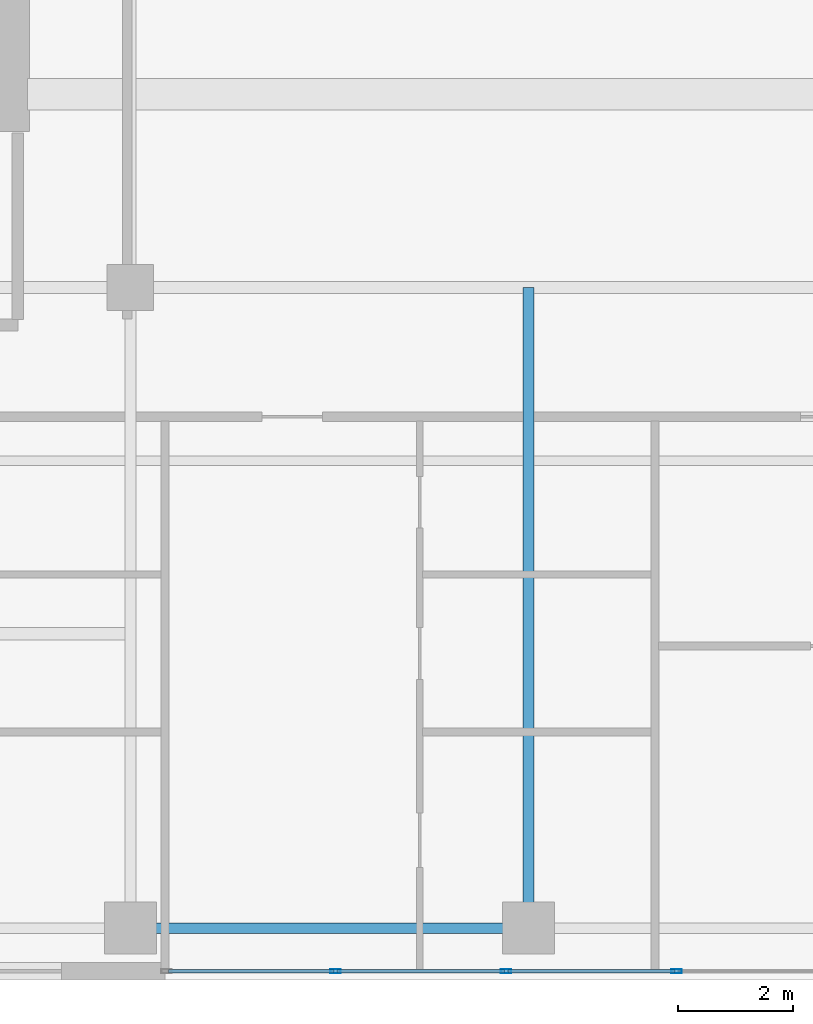
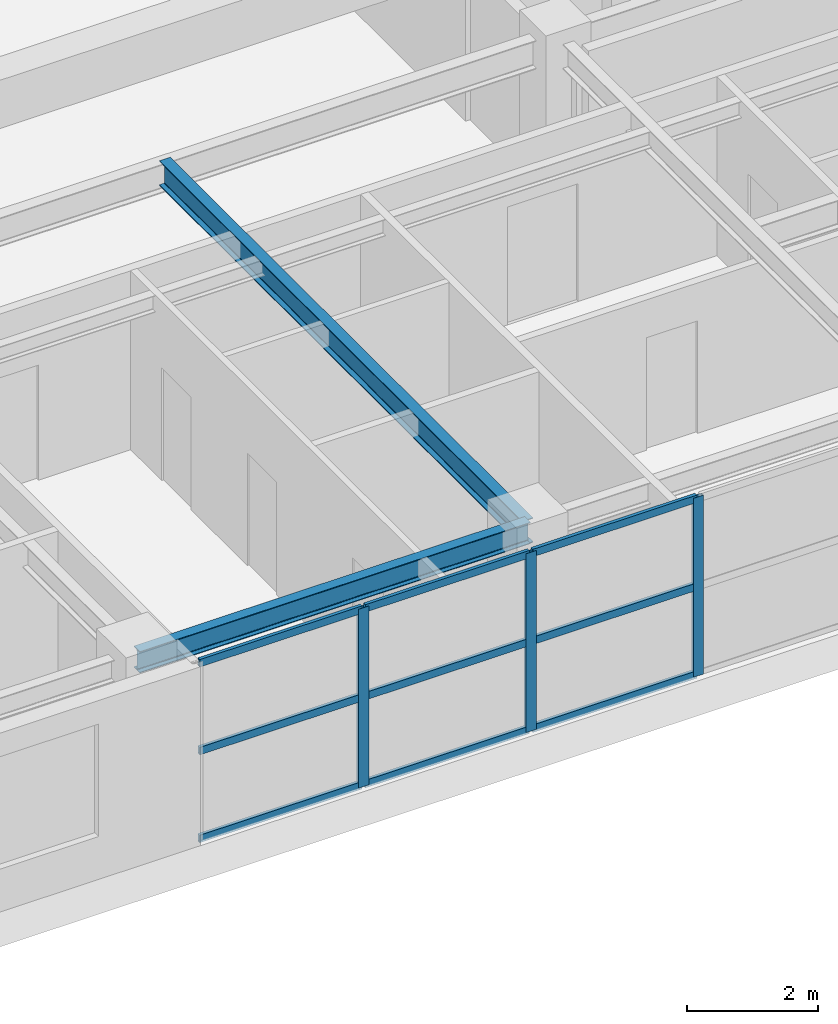
# One storey, part 5 of 24: 12 members, 2 beams, 1 element without a shape of its own.
"""IFC4 building model written with IfcOpenShell, lengths in metres."""

import ifcopenshell
import ifcopenshell.guid

model = None  # the IFC model being written
_history = None  # IfcOwnerHistory: only IFC2X3 demands one
_inside = {}  # id of a spatial element -> (the spatial element, [elements in it])
_under = {}  # id of a project, library or spatial element -> (it, [spatial elements below it])
_declared = {}  # id of a project -> (the project, [libraries it declares])
_typed = {}  # id of a type object -> (the type object, [elements of that type])
_made_of = {}  # id of a material, layer set ... -> (it, [elements and type objects made of it])


def new_model(schema):
    """Start an empty IFC model of exactly this schema.

    Asked for "IFC4X3", IfcOpenShell would pick the latest addendum, in which some entities
    have other attributes; the version numbers below select the first issue.
    IFC2X3 requires an IfcOwnerHistory on every rooted entity: one is made here for all.
    """
    global model, _history
    if schema == "IFC4X3":
        model = ifcopenshell.file(schema_version=(4, 3, 0, 0))
    else:
        model = ifcopenshell.file(schema=schema)
    _inside.clear()
    _under.clear()
    _declared.clear()
    _typed.clear()
    _made_of.clear()
    _history = None
    if model.schema == "IFC2X3":
        org = make("IfcOrganization", Name="unknown")
        user = make(
            "IfcPersonAndOrganization",
            ThePerson=make("IfcPerson", FamilyName="unknown"),
            TheOrganization=org,
        )
        app = make(
            "IfcApplication",
            ApplicationDeveloper=org,
            Version="unknown",
            ApplicationFullName="unknown",
            ApplicationIdentifier="unknown",
        )
        _history = make(
            "IfcOwnerHistory",
            OwningUser=user,
            OwningApplication=app,
            ChangeAction="ADDED",
            CreationDate=0,
        )
    return model


def make(cls, **values):
    """One entity of the class cls with the attributes given. An attribute that is None is left unset."""
    return model.create_entity(
        cls, **{name: value for name, value in values.items() if value is not None}
    )


def rooted(cls, **values):
    """An entity with a GlobalId (a new one), such as an element, a storey or a relation."""
    return make(cls, GlobalId=ifcopenshell.guid.new(), OwnerHistory=_history, **values)


def si_unit(unit_type, name, prefix=None):
    """IfcSIUnit, for example si_unit("LENGTHUNIT", "METRE", prefix="MILLI")."""
    return make("IfcSIUnit", UnitType=unit_type, Prefix=prefix, Name=name)


def assignment(units):
    """IfcUnitAssignment: the units of a project."""
    return None if units is None else make("IfcUnitAssignment", Units=units)


def point(xyz):
    """IfcCartesianPoint."""
    return None if xyz is None else make("IfcCartesianPoint", Coordinates=xyz)


def direction(xyz):
    """IfcDirection."""
    return None if xyz is None else make("IfcDirection", DirectionRatios=xyz)


def frame(location, z_axis=None, x_axis=None):
    """IfcAxis2Placement3D, a coordinate frame: its origin and axes. An axis left out is left unset."""
    return make(
        "IfcAxis2Placement3D",
        Location=point(location),
        Axis=direction(z_axis),
        RefDirection=direction(x_axis),
    )


def frame_2d(location, x_axis=None):
    """IfcAxis2Placement2D, a coordinate frame in the plane: its origin and x axis."""
    return make(
        "IfcAxis2Placement2D", Location=point(location), RefDirection=direction(x_axis)
    )


def origin():
    """The frame at (0, 0, 0) with its axes left unset."""
    return frame((0.0, 0.0, 0.0))


def origin_2d():
    """The frame at (0, 0) in the plane with its x axis left unset."""
    return frame_2d((0.0, 0.0))


def place(relative_to, where):
    """IfcLocalPlacement: puts the frame where relative to a parent placement (None: the world)."""
    return make(
        "IfcLocalPlacement", PlacementRelTo=relative_to, RelativePlacement=where
    )


def context(
    kind, dimensions, precision=None, world=None, true_north=None, identifier=None
):
    """IfcGeometricRepresentationContext, for example the 3D "Model" context."""
    return make(
        "IfcGeometricRepresentationContext",
        ContextIdentifier=identifier,
        ContextType=kind,
        CoordinateSpaceDimension=dimensions,
        Precision=precision,
        WorldCoordinateSystem=world,
        TrueNorth=true_north,
    )


def subcontext(parent, identifier, kind, view, scale=None):
    """IfcGeometricRepresentationSubContext, for example "Body" below "Model"."""
    return make(
        "IfcGeometricRepresentationSubContext",
        ContextIdentifier=identifier,
        ContextType=kind,
        ParentContext=parent,
        TargetScale=scale,
        TargetView=view,
    )


def project(units=None, contexts=None):
    """IfcProject with its units and contexts."""
    return rooted(
        "IfcProject",
        Name="project",
        RepresentationContexts=contexts,
        UnitsInContext=assignment(units),
    )


def spatial(cls, under=None, at=None, **own):
    """A site, building, storey or space (cls), placed at a placement, below another one or the project."""
    s = rooted(cls, ObjectPlacement=at, **own)
    if under is not None:
        _under.setdefault(under.id(), (under, []))[1].append(s)
    return s


def profile(cls, at=None, kind="AREA", **sizes):
    """A parametric profile (cls). Its sizes go by their IFC names, for example OverallWidth=200.0."""
    return make(cls, ProfileType=kind, Position=at, **sizes)


def hollow_rectangle(**sizes):
    """IfcRectangleHollowProfileDef."""
    return profile("IfcRectangleHollowProfileDef", **sizes)


def i_section(**sizes):
    """IfcIShapeProfileDef."""
    return profile("IfcIShapeProfileDef", **sizes)


def extrude(swept, where, along, depth):
    """IfcExtrudedAreaSolid: the profile swept, set in the frame where, extruded along a direction by depth."""
    return make(
        "IfcExtrudedAreaSolid",
        SweptArea=swept,
        Position=where,
        ExtrudedDirection=direction(along),
        Depth=depth,
    )


def shape(context_of_items, identifier, shape_type, items):
    """IfcShapeRepresentation: the items that make up one representation, for example the "Body"."""
    return make(
        "IfcShapeRepresentation",
        ContextOfItems=context_of_items,
        RepresentationIdentifier=identifier,
        RepresentationType=shape_type,
        Items=items,
    )


def source(mapping_origin, context_of_items, identifier, shape_type, items):
    """IfcRepresentationMap: a shape defined once, which mapped items show again and again."""
    return make(
        "IfcRepresentationMap",
        MappingOrigin=mapping_origin,
        MappedRepresentation=shape(context_of_items, identifier, shape_type, items),
    )


def transform(
    local_origin,
    x_axis=None,
    y_axis=None,
    z_axis=None,
    scale=None,
    scale2=None,
    scale3=None,
    uniform=True,
):
    """IfcCartesianTransformationOperator3D, or its non-uniform kind. x_axis, y_axis, z_axis: its Axis1, 2, 3."""
    if uniform:
        return make(
            "IfcCartesianTransformationOperator3D",
            Axis1=direction(x_axis),
            Axis2=direction(y_axis),
            LocalOrigin=point(local_origin),
            Scale=scale,
            Axis3=direction(z_axis),
        )
    return make(
        "IfcCartesianTransformationOperator3DnonUniform",
        Axis1=direction(x_axis),
        Axis2=direction(y_axis),
        LocalOrigin=point(local_origin),
        Scale=scale,
        Axis3=direction(z_axis),
        Scale2=scale2,
        Scale3=scale3,
    )


def mapped(mapping_source, mapping_target):
    """IfcMappedItem: shows the shape of a source again, moved by a transform."""
    return make(
        "IfcMappedItem", MappingSource=mapping_source, MappingTarget=mapping_target
    )


def material(Name=None, Category=None):
    """IfcMaterial."""
    return make("IfcMaterial", Name=Name, Category=Category)


def layer(
    of_material, thickness, ventilated=None, Name=None, Category=None, Priority=None
):
    """IfcMaterialLayer: one layer of a wall or slab, of a material (None: an air gap)."""
    return make(
        "IfcMaterialLayer",
        Material=of_material,
        LayerThickness=thickness,
        IsVentilated=ventilated,
        Name=Name,
        Category=Category,
        Priority=Priority,
    )


def layer_set(layers, Name=None):
    """IfcMaterialLayerSet."""
    return make("IfcMaterialLayerSet", MaterialLayers=layers, LayerSetName=Name)


def material_profile(
    of_material, cross_section, Name=None, Category=None, Priority=None
):
    """IfcMaterialProfile: a cross section and its material."""
    return make(
        "IfcMaterialProfile",
        Name=Name,
        Material=of_material,
        Profile=cross_section,
        Priority=Priority,
        Category=Category,
    )


def profile_set(profiles, Name=None, composite=None):
    """IfcMaterialProfileSet."""
    return make(
        "IfcMaterialProfileSet",
        Name=Name,
        MaterialProfiles=profiles,
        CompositeProfile=composite,
    )


def made_of(thing, what):
    """Note that an element or type object is made of a material, layer set ...; save() writes the relation."""
    if what is not None:
        _made_of.setdefault(what.id(), (what, []))[1].append(thing)
    return thing


def type_object(cls, material=None, **own):
    """A type object (cls), such as IfcWallType, which elements share."""
    return made_of(rooted(cls, **own), material)


def element(
    cls,
    number,
    at=None,
    inside=None,
    cuts=None,
    type_object=None,
    material=None,
    context=None,
    identifier="Body",
    shape_type=None,
    held_by="IfcProductDefinitionShape",
    body=None,
    shapes=None,
    **own,
):
    """One element of the class cls, such as IfcWall. Its Tag is "e" and its number.

    at: its placement. inside: the storey or other place that contains it. cuts: it is an
    opening in that element (IfcRelVoidsElement). A single representation is given by context,
    identifier, shape_type and body (its items); several are given by shapes. held_by: the class
    of the entity that holds the representations. save() writes the other relations.
    """
    e = rooted(cls, Tag="e%d" % number, ObjectPlacement=at, **own)
    if body is not None:
        shapes = [shape(context, identifier, shape_type, body)]
    if shapes is not None:
        e.Representation = make(held_by, Representations=shapes)
    if inside is not None:
        _inside.setdefault(inside.id(), (inside, []))[1].append(e)
    if cuts is not None:
        rooted(
            "IfcRelVoidsElement", RelatingBuildingElement=cuts, RelatedOpeningElement=e
        )
    if type_object is not None:
        _typed.setdefault(type_object.id(), (type_object, []))[1].append(e)
    return made_of(e, material)


def aggregate(whole, parts):
    """IfcRelAggregates: a whole, such as a stair, and the parts it consists of."""
    return rooted("IfcRelAggregates", RelatingObject=whole, RelatedObjects=parts)


def save(model, path):
    """Write the relations noted so far, then the file.

    IfcRelAggregates (storeys below a building ...), IfcRelContainedInSpatialStructure (elements
    in a storey), IfcRelDefinesByType, IfcRelAssociatesMaterial and IfcRelDeclares: one each for
    every whole, place, type object, material and project.
    """
    for whole, parts in _under.values():
        aggregate(whole, parts)
    for where, things in _inside.values():
        rooted(
            "IfcRelContainedInSpatialStructure",
            RelatedElements=things,
            RelatingStructure=where,
        )
    for kind, things in _typed.values():
        rooted("IfcRelDefinesByType", RelatedObjects=things, RelatingType=kind)
    for what, things in _made_of.values():
        rooted("IfcRelAssociatesMaterial", RelatedObjects=things, RelatingMaterial=what)
    for by, libraries in _declared.values():
        rooted("IfcRelDeclares", RelatingContext=by, RelatedDefinitions=libraries)
    model.write(path)


model = new_model("IFC4")

# Units and contexts
model_context = context("Model", 3, precision=1e-05, world=origin(), true_north=direction((0.0, 1.0)))
body_context = subcontext(model_context, "Body", "Model", "MODEL_VIEW")
ifc_project = project(units=[si_unit("LENGTHUNIT", "METRE"), si_unit("AREAUNIT", "SQUARE_METRE"), si_unit("VOLUMEUNIT", "CUBIC_METRE"), si_unit("PLANEANGLEUNIT", "RADIAN"), si_unit("MASSUNIT", "GRAM", prefix="KILO")], contexts=[model_context])

# Site, building, storey
site_placement = place(None, origin())
site = spatial("IfcSite", under=ifc_project, at=site_placement, CompositionType="ELEMENT")
building_placement = place(site_placement, origin())
building = spatial("IfcBuilding", under=site, at=building_placement, Name="Khoralis Quay Care Tower", CompositionType="ELEMENT")
storey_placement = place(building_placement, frame((0.0, 0.0, 155.699951171875)))
storey = spatial("IfcBuildingStorey", under=building, at=storey_placement, Name="L40", CompositionType="ELEMENT", Elevation=155.699951171875)

# Beams
ifc_material_1 = material(Name="Steel S355", Category="steel")
ifc_material_profile_1 = material_profile(ifc_material_1, i_section(OverallWidth=0.179931640625, OverallDepth=0.39990234375, WebThickness=0.008544921875, FlangeThickness=0.013427734375, FilletRadius=0.02099609375, at=origin_2d()), Name="Steel S355")
ifc_profile_set_1 = profile_set([ifc_material_profile_1], Name="Steel S355")
beam_type_1 = type_object("IfcBeamType", Name="BM-IPE400", PredefinedType="SPANDREL", material=ifc_profile_set_1)
shared_shape_1 = source(origin(), body_context, "Body", "SweptSolid", [
    extrude(i_section(OverallWidth=0.179931640625, OverallDepth=0.39990234375, WebThickness=0.008544921875, FlangeThickness=0.013427734375, FilletRadius=0.02099609375, at=origin_2d()), origin(), (0.0, 0.0, 1.0), 6.89990234375),
])
beam_1_placement = place(storey_placement, frame((17.10009765625, 0.89990234375, 3.14013671875), z_axis=(1.0, 0.0, 0.0), x_axis=(0.0, 1.0, 0.0)))
element("IfcBeam", 1, at=beam_1_placement, inside=storey, type_object=beam_type_1, Name="BM-TSP-L40-02", PredefinedType="SPANDREL", context=body_context, shape_type="MappedRepresentation", body=[
    mapped(shared_shape_1, transform((0.0, 0.0, 0.0), scale=1.0)),
])
ifc_material_profile_2 = material_profile(ifc_material_1, i_section(OverallWidth=0.19189453125, OverallDepth=0.462890625, WebThickness=0.010498046875, FlangeThickness=0.017578125, FilletRadius=0.014892578125, at=origin_2d()), Name="Steel S355")
ifc_profile_set_2 = profile_set([ifc_material_profile_2], Name="Steel S355")
beam_type_2 = type_object("IfcBeamType", Name="BM-W460X89", PredefinedType="BEAM", material=ifc_profile_set_2)
shared_shape_2 = source(origin(), body_context, "Body", "SweptSolid", [
    extrude(i_section(OverallWidth=0.19189453125, OverallDepth=0.462890625, WebThickness=0.010498046875, FlangeThickness=0.017578125, FilletRadius=0.014892578125, at=origin_2d()), origin(), (0.0, 0.0, 1.0), 11.10009765625),
])
beam_2_placement = place(storey_placement, frame((24.0, 0.89990234375, 3.108642578125), z_axis=(0.0, 1.0, 0.0), x_axis=(-1.0, 0.0, 0.0)))
element("IfcBeam", 2, at=beam_2_placement, inside=storey, type_object=beam_type_2, Name="BM-TGYS-L40-240", PredefinedType="BEAM", context=body_context, shape_type="MappedRepresentation", body=[
    mapped(shared_shape_2, transform((0.0, 0.0, 0.0), scale=1.0)),
])

# Curtain wall, members
ifc_material_2 = material(Name="Pale anodised aluminium", Category="aluminium")
ifc_layer = layer(ifc_material_2, 0.159912109375)
ifc_layer_set = layer_set([ifc_layer], Name="Pale anodised aluminium")
curtain_wall_type = type_object("IfcCurtainWallType", Name="CW-SYS-Z3", PredefinedType="NOTDEFINED", material=ifc_layer_set)
curtain_wall_placement = place(storey_placement, origin())
curtain_wall = element("IfcCurtainWall", 3, at=curtain_wall_placement, inside=storey, type_object=curtain_wall_type, Name="L40 Unitised Curtain Wall CW-L40-P1-E0", PredefinedType="NOTDEFINED")
ifc_material_profile_3 = material_profile(ifc_material_2, hollow_rectangle(XDim=0.06494140625, YDim=0.179931640625, WallThickness=0.00390625, at=origin_2d()), Name="Pale anodised aluminium")
ifc_profile_set_3 = profile_set([ifc_material_profile_3], Name="Pale anodised aluminium")
member_type_1 = type_object("IfcMemberType", Name="CW-MUL-180", PredefinedType="MULLION", material=ifc_profile_set_3)
shared_shape_3 = source(origin(), body_context, "Body", "SweptSolid", [
    extrude(hollow_rectangle(XDim=0.06494140625, YDim=0.179931640625, WallThickness=0.00390625, at=origin_2d()), origin(), (0.0, 0.0, 1.0), 3.340087890625),
])
member_1_placement = place(storey_placement, frame((20.656005859375, 0.14990234375, 0.0), z_axis=(0.0, 0.0, 1.0), x_axis=(0.0, 1.0, 0.0)))
member_1 = element("IfcMember", 4, at=member_1_placement, type_object=member_type_1, Name="CW3 mullion 2", PredefinedType="MULLION", context=body_context, shape_type="MappedRepresentation", body=[
    mapped(shared_shape_3, transform((0.0, 0.0, 0.0), scale=1.0)),
])
member_2_placement = place(storey_placement, frame((23.612060546875, 0.14990234375, 0.0), z_axis=(0.0, 0.0, 1.0), x_axis=(0.0, 1.0, 0.0)))
member_2 = element("IfcMember", 5, at=member_2_placement, type_object=member_type_1, Name="CW3 mullion 3", PredefinedType="MULLION", context=body_context, shape_type="MappedRepresentation", body=[
    mapped(shared_shape_3, transform((0.0, 0.0, 0.0), scale=1.0)),
])
member_3_placement = place(storey_placement, frame((26.568115234375, 0.14990234375, 0.0), z_axis=(0.0, 0.0, 1.0), x_axis=(0.0, 1.0, 0.0)))
member_3 = element("IfcMember", 6, at=member_3_placement, type_object=member_type_1, Name="CW3 mullion 4", PredefinedType="MULLION", context=body_context, shape_type="MappedRepresentation", body=[
    mapped(shared_shape_3, transform((0.0, 0.0, 0.0), scale=1.0)),
])
ifc_material_profile_4 = material_profile(ifc_material_2, hollow_rectangle(XDim=0.06005859375, YDim=0.139892578125, WallThickness=0.00390625, at=origin_2d()), Name="Pale anodised aluminium")
ifc_profile_set_4 = profile_set([ifc_material_profile_4], Name="Pale anodised aluminium")
member_type_2 = type_object("IfcMemberType", Name="CW-TRN-140", PredefinedType="USERDEFINED", material=ifc_profile_set_4)
shared_shape_4 = source(origin(), body_context, "Body", "SweptSolid", [
    extrude(hollow_rectangle(XDim=0.06005859375, YDim=0.139892578125, WallThickness=0.00390625, at=origin_2d()), origin(), (0.0, 0.0, 1.0), 2.865966796875),
])
member_4_placement = place(storey_placement, frame((17.760009765625, 0.14990234375, 0.030029296875), z_axis=(1.0, 0.0, 0.0), x_axis=(0.0, 1.0, 0.0)))
member_4 = element("IfcMember", 7, at=member_4_placement, type_object=member_type_2, Name="CW3 transom 1.1", ObjectType="TRANSOM", PredefinedType="USERDEFINED", context=body_context, shape_type="MappedRepresentation", body=[
    mapped(shared_shape_4, transform((0.0, 0.0, 0.0), scale=1.0)),
])
member_5_placement = place(storey_placement, frame((17.760009765625, 0.14990234375, 1.670166015625), z_axis=(1.0, 0.0, 0.0), x_axis=(0.0, 1.0, 0.0)))
member_5 = element("IfcMember", 8, at=member_5_placement, type_object=member_type_2, Name="CW3 transom 1.2", ObjectType="TRANSOM", PredefinedType="USERDEFINED", context=body_context, shape_type="MappedRepresentation", body=[
    mapped(shared_shape_4, transform((0.0, 0.0, 0.0), scale=1.0)),
])
member_6_placement = place(storey_placement, frame((17.760009765625, 0.14990234375, 3.31005859375), z_axis=(1.0, 0.0, 0.0), x_axis=(0.0, 1.0, 0.0)))
member_6 = element("IfcMember", 9, at=member_6_placement, type_object=member_type_2, Name="CW3 transom 1.3", ObjectType="TRANSOM", PredefinedType="USERDEFINED", context=body_context, shape_type="MappedRepresentation", body=[
    mapped(shared_shape_4, transform((0.0, 0.0, 0.0), scale=1.0)),
])
shared_shape_5 = source(origin(), body_context, "Body", "SweptSolid", [
    extrude(hollow_rectangle(XDim=0.06005859375, YDim=0.139892578125, WallThickness=0.00390625, at=origin_2d()), origin(), (0.0, 0.0, 1.0), 2.89599609375),
])
member_7_placement = place(storey_placement, frame((20.68603515625, 0.14990234375, 0.030029296875), z_axis=(1.0, 0.0, 0.0), x_axis=(0.0, 1.0, 0.0)))
member_7 = element("IfcMember", 10, at=member_7_placement, type_object=member_type_2, Name="CW3 transom 2.1", ObjectType="TRANSOM", PredefinedType="USERDEFINED", context=body_context, shape_type="MappedRepresentation", body=[
    mapped(shared_shape_5, transform((0.0, 0.0, 0.0), scale=1.0)),
])
member_8_placement = place(storey_placement, frame((20.68603515625, 0.14990234375, 1.670166015625), z_axis=(1.0, 0.0, 0.0), x_axis=(0.0, 1.0, 0.0)))
member_8 = element("IfcMember", 11, at=member_8_placement, type_object=member_type_2, Name="CW3 transom 2.2", ObjectType="TRANSOM", PredefinedType="USERDEFINED", context=body_context, shape_type="MappedRepresentation", body=[
    mapped(shared_shape_5, transform((0.0, 0.0, 0.0), scale=1.0)),
])
member_9_placement = place(storey_placement, frame((20.68603515625, 0.14990234375, 3.31005859375), z_axis=(1.0, 0.0, 0.0), x_axis=(0.0, 1.0, 0.0)))
member_9 = element("IfcMember", 12, at=member_9_placement, type_object=member_type_2, Name="CW3 transom 2.3", ObjectType="TRANSOM", PredefinedType="USERDEFINED", context=body_context, shape_type="MappedRepresentation", body=[
    mapped(shared_shape_5, transform((0.0, 0.0, 0.0), scale=1.0)),
])
member_10_placement = place(storey_placement, frame((23.64208984375, 0.14990234375, 0.030029296875), z_axis=(1.0, 0.0, 0.0), x_axis=(0.0, 1.0, 0.0)))
member_10 = element("IfcMember", 13, at=member_10_placement, type_object=member_type_2, Name="CW3 transom 3.1", ObjectType="TRANSOM", PredefinedType="USERDEFINED", context=body_context, shape_type="MappedRepresentation", body=[
    mapped(shared_shape_5, transform((0.0, 0.0, 0.0), scale=1.0)),
])
member_11_placement = place(storey_placement, frame((23.64208984375, 0.14990234375, 1.670166015625), z_axis=(1.0, 0.0, 0.0), x_axis=(0.0, 1.0, 0.0)))
member_11 = element("IfcMember", 14, at=member_11_placement, type_object=member_type_2, Name="CW3 transom 3.2", ObjectType="TRANSOM", PredefinedType="USERDEFINED", context=body_context, shape_type="MappedRepresentation", body=[
    mapped(shared_shape_5, transform((0.0, 0.0, 0.0), scale=1.0)),
])
member_12_placement = place(storey_placement, frame((23.64208984375, 0.14990234375, 3.31005859375), z_axis=(1.0, 0.0, 0.0), x_axis=(0.0, 1.0, 0.0)))
member_12 = element("IfcMember", 15, at=member_12_placement, type_object=member_type_2, Name="CW3 transom 3.3", ObjectType="TRANSOM", PredefinedType="USERDEFINED", context=body_context, shape_type="MappedRepresentation", body=[
    mapped(shared_shape_5, transform((0.0, 0.0, 0.0), scale=1.0)),
])
aggregate(curtain_wall, [member_1, member_2, member_3, member_4, member_5, member_6, member_7, member_8, member_9, member_10, member_11, member_12])

save(model, "model.ifc")
